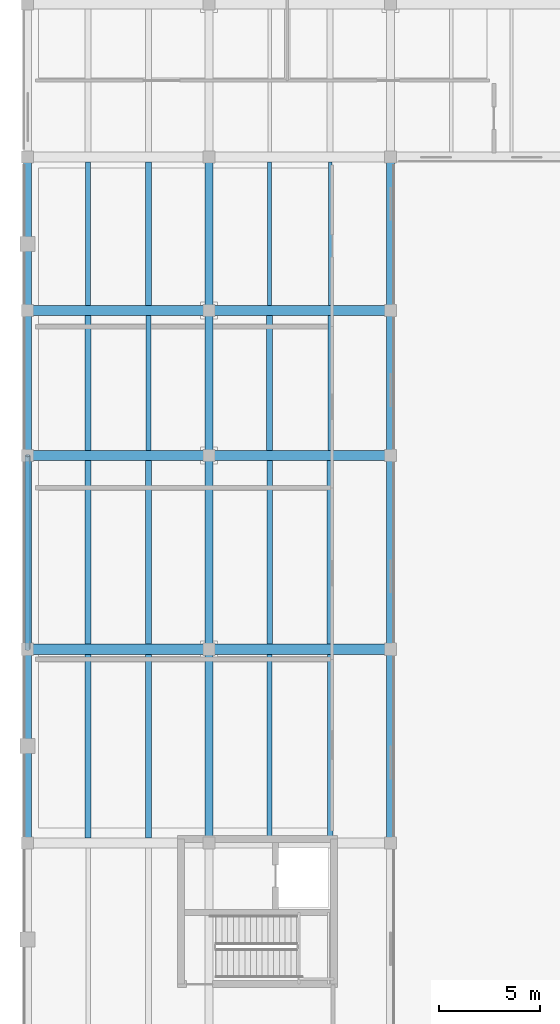
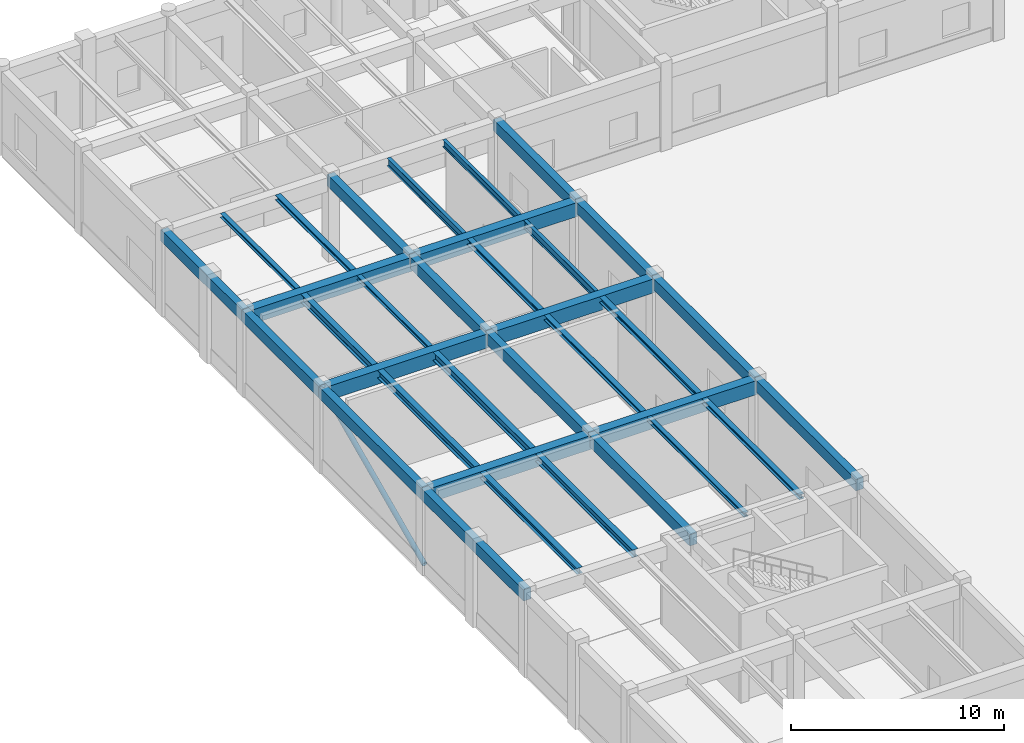
# One storey, part 23 of 64: 34 beams, 1 member.
"""IFC4 building model written with IfcOpenShell, lengths in metres."""

from ifc_helpers import new_model, si_unit, direction, frame, origin, origin_2d, place, context, subcontext, project, spatial, rectangle, hollow_circle, i_section, extrude, material, material_profile, profile_set, type_object, element, save


model = new_model("IFC4")

# Units and contexts
model_context = context("Model", 3, precision=1e-05, world=origin(), true_north=direction((0.0, 1.0)))
body_context = subcontext(model_context, "Body", "Model", "MODEL_VIEW")
ifc_project = project(units=[si_unit("LENGTHUNIT", "METRE"), si_unit("AREAUNIT", "SQUARE_METRE"), si_unit("VOLUMEUNIT", "CUBIC_METRE"), si_unit("PLANEANGLEUNIT", "RADIAN"), si_unit("MASSUNIT", "GRAM", prefix="KILO")], contexts=[model_context])

# Site, building, storey
site_placement = place(None, origin())
site = spatial("IfcSite", under=ifc_project, at=site_placement, CompositionType="ELEMENT")
building_placement = place(site_placement, origin())
building = spatial("IfcBuilding", under=site, at=building_placement, Name="Montealbar Specialist Clinic", CompositionType="ELEMENT")
storey_placement = place(building_placement, origin())
storey = spatial("IfcBuildingStorey", under=building, at=storey_placement, Name="L00", CompositionType="ELEMENT", Elevation=0.0)

# Beams
ifc_material_1 = material(Name="Steel S355", Category="steel")
ifc_material_profile_1 = material_profile(ifc_material_1, i_section(OverallWidth=0.300048828125, OverallDepth=0.35009765625, WebThickness=0.010009765625, FlangeThickness=0.017578125, FilletRadius=0.027099609375, at=origin_2d()), Name="HEA 360", Category="steel")
ifc_profile_set_1 = profile_set([ifc_material_profile_1], Name="Steel S355")
beam_type_1 = type_object("IfcBeamType", Name="BM-JST-HEA360", PredefinedType="JOIST", material=ifc_profile_set_1)
beam_1_placement = place(storey_placement, frame((3.0, 62.050048828125, 4.635009765625), z_axis=(0.0, 1.0, 0.0), x_axis=(-1.0, 0.0, 0.0)))
element("IfcBeam", 1, at=beam_1_placement, inside=storey, type_object=beam_type_1, Name="Beam JST-L00-30-620-712", PredefinedType="JOIST", context=body_context, shape_type="SweptSolid", body=[
    extrude(i_section(OverallWidth=0.300048828125, OverallDepth=0.35009765625, WebThickness=0.010009765625, FlangeThickness=0.017578125, FilletRadius=0.027099609375, at=origin_2d()), origin(), (0.0, 0.0, 1.0), 9.099853515625),
])
ifc_material_profile_2 = material_profile(ifc_material_1, i_section(OverallWidth=0.300048828125, OverallDepth=0.43994140625, WebThickness=0.011474609375, FlangeThickness=0.02099609375, FilletRadius=0.027099609375, at=origin_2d()), Name="HEA 450", Category="steel")
ifc_profile_set_2 = profile_set([ifc_material_profile_2], Name="Steel S355")
beam_type_2 = type_object("IfcBeamType", Name="BM-JST-HEA450", PredefinedType="JOIST", material=ifc_profile_set_2)
beam_2_placement = place(storey_placement, frame((6.0, 62.050048828125, 4.590087890625), z_axis=(0.0, 1.0, 0.0), x_axis=(-1.0, 0.0, 0.0)))
element("IfcBeam", 2, at=beam_2_placement, inside=storey, type_object=beam_type_2, Name="Beam JST-L00-60-620-712", PredefinedType="JOIST", context=body_context, shape_type="SweptSolid", body=[
    extrude(i_section(OverallWidth=0.300048828125, OverallDepth=0.43994140625, WebThickness=0.011474609375, FlangeThickness=0.02099609375, FilletRadius=0.027099609375, at=origin_2d()), origin(), (0.0, 0.0, 1.0), 9.099853515625),
])
beam_3_placement = place(storey_placement, frame((3.0, 71.64990234375, 4.590087890625), z_axis=(0.0, 1.0, 0.0), x_axis=(-1.0, 0.0, 0.0)))
element("IfcBeam", 3, at=beam_3_placement, inside=storey, type_object=beam_type_2, Name="Beam JST-L00-30-716-808", PredefinedType="JOIST", context=body_context, shape_type="SweptSolid", body=[
    extrude(i_section(OverallWidth=0.300048828125, OverallDepth=0.43994140625, WebThickness=0.011474609375, FlangeThickness=0.02099609375, FilletRadius=0.027099609375, at=origin_2d()), origin(), (0.0, 0.0, 1.0), 9.10009765625),
])
ifc_material_profile_3 = material_profile(ifc_material_1, i_section(OverallWidth=0.300048828125, OverallDepth=0.489990234375, WebThickness=0.011962890625, FlangeThickness=0.02294921875, FilletRadius=0.027099609375, at=origin_2d()), Name="HEA 500", Category="steel")
ifc_profile_set_3 = profile_set([ifc_material_profile_3], Name="Steel S355")
beam_type_3 = type_object("IfcBeamType", Name="BM-JST-HEA500", PredefinedType="JOIST", material=ifc_profile_set_3)
beam_4_placement = place(storey_placement, frame((6.0, 71.64990234375, 4.56494140625), z_axis=(0.0, 1.0, 0.0), x_axis=(-1.0, 0.0, 0.0)))
element("IfcBeam", 4, at=beam_4_placement, inside=storey, type_object=beam_type_3, Name="Beam JST-L00-60-716-808", PredefinedType="JOIST", context=body_context, shape_type="SweptSolid", body=[
    extrude(i_section(OverallWidth=0.300048828125, OverallDepth=0.489990234375, WebThickness=0.011962890625, FlangeThickness=0.02294921875, FilletRadius=0.027099609375, at=origin_2d()), origin(), (0.0, 0.0, 1.0), 9.10009765625),
])
beam_5_placement = place(storey_placement, frame((3.0, 81.25, 4.56494140625), z_axis=(0.0, 1.0, 0.0), x_axis=(-1.0, 0.0, 0.0)))
element("IfcBeam", 5, at=beam_5_placement, inside=storey, type_object=beam_type_3, Name="Beam JST-L00-30-812-880", PredefinedType="JOIST", context=body_context, shape_type="SweptSolid", body=[
    extrude(i_section(OverallWidth=0.300048828125, OverallDepth=0.489990234375, WebThickness=0.011962890625, FlangeThickness=0.02294921875, FilletRadius=0.027099609375, at=origin_2d()), origin(), (0.0, 0.0, 1.0), 6.699951171875),
])
ifc_material_profile_4 = material_profile(ifc_material_1, i_section(OverallWidth=0.239990234375, OverallDepth=0.239990234375, WebThickness=0.010009765625, FlangeThickness=0.01708984375, FilletRadius=0.02099609375, at=origin_2d()), Name="HEB 240", Category="steel")
ifc_profile_set_4 = profile_set([ifc_material_profile_4], Name="Steel S355")
beam_type_4 = type_object("IfcBeamType", Name="BM-JST-HEB240", PredefinedType="JOIST", material=ifc_profile_set_4)
beam_6_placement = place(storey_placement, frame((6.0, 81.25, 4.68994140625), z_axis=(0.0, 1.0, 0.0), x_axis=(-1.0, 0.0, 0.0)))
element("IfcBeam", 6, at=beam_6_placement, inside=storey, type_object=beam_type_4, Name="Beam JST-L00-60-812-880", PredefinedType="JOIST", context=body_context, shape_type="SweptSolid", body=[
    extrude(i_section(OverallWidth=0.239990234375, OverallDepth=0.239990234375, WebThickness=0.010009765625, FlangeThickness=0.01708984375, FilletRadius=0.02099609375, at=origin_2d()), origin(), (0.0, 0.0, 1.0), 6.699951171875),
])
beam_7_placement = place(storey_placement, frame((3.0, 88.449951171875, 4.68994140625), z_axis=(0.0, 1.0, 0.0), x_axis=(-1.0, 0.0, 0.0)))
element("IfcBeam", 7, at=beam_7_placement, inside=storey, type_object=beam_type_4, Name="Beam JST-L00-30-884-956", PredefinedType="JOIST", context=body_context, shape_type="SweptSolid", body=[
    extrude(i_section(OverallWidth=0.239990234375, OverallDepth=0.239990234375, WebThickness=0.010009765625, FlangeThickness=0.01708984375, FilletRadius=0.02099609375, at=origin_2d()), origin(), (0.0, 0.0, 1.0), 7.10009765625),
])
beam_8_placement = place(storey_placement, frame((12.0, 62.050048828125, 4.68994140625), z_axis=(0.0, 1.0, 0.0), x_axis=(-1.0, 0.0, 0.0)))
element("IfcBeam", 8, at=beam_8_placement, inside=storey, type_object=beam_type_4, Name="Beam JST-L00-120-620-712", PredefinedType="JOIST", context=body_context, shape_type="SweptSolid", body=[
    extrude(i_section(OverallWidth=0.239990234375, OverallDepth=0.239990234375, WebThickness=0.010009765625, FlangeThickness=0.01708984375, FilletRadius=0.02099609375, at=origin_2d()), origin(), (0.0, 0.0, 1.0), 9.099853515625),
])
ifc_material_profile_5 = material_profile(ifc_material_1, i_section(OverallWidth=0.280029296875, OverallDepth=0.280029296875, WebThickness=0.010498046875, FlangeThickness=0.01806640625, FilletRadius=0.02392578125, at=origin_2d()), Name="HEB 280", Category="steel")
ifc_profile_set_5 = profile_set([ifc_material_profile_5], Name="Steel S355")
beam_type_5 = type_object("IfcBeamType", Name="BM-JST-HEB280", PredefinedType="JOIST", material=ifc_profile_set_5)
beam_9_placement = place(storey_placement, frame((6.0, 88.449951171875, 4.669921875), z_axis=(0.0, 1.0, 0.0), x_axis=(-1.0, 0.0, 0.0)))
element("IfcBeam", 9, at=beam_9_placement, inside=storey, type_object=beam_type_5, Name="Beam JST-L00-60-884-956", PredefinedType="JOIST", context=body_context, shape_type="SweptSolid", body=[
    extrude(i_section(OverallWidth=0.280029296875, OverallDepth=0.280029296875, WebThickness=0.010498046875, FlangeThickness=0.01806640625, FilletRadius=0.02392578125, at=origin_2d()), origin(), (0.0, 0.0, 1.0), 7.10009765625),
])
beam_10_placement = place(storey_placement, frame((15.0, 62.050048828125, 4.669921875), z_axis=(0.0, 1.0, 0.0), x_axis=(-1.0, 0.0, 0.0)))
element("IfcBeam", 10, at=beam_10_placement, inside=storey, type_object=beam_type_5, Name="Beam JST-L00-150-620-712", PredefinedType="JOIST", context=body_context, shape_type="SweptSolid", body=[
    extrude(i_section(OverallWidth=0.280029296875, OverallDepth=0.280029296875, WebThickness=0.010498046875, FlangeThickness=0.01806640625, FilletRadius=0.02392578125, at=origin_2d()), origin(), (0.0, 0.0, 1.0), 9.099853515625),
])
beam_11_placement = place(storey_placement, frame((12.0, 71.64990234375, 4.669921875), z_axis=(0.0, 1.0, 0.0), x_axis=(-1.0, 0.0, 0.0)))
element("IfcBeam", 11, at=beam_11_placement, inside=storey, type_object=beam_type_5, Name="Beam JST-L00-120-716-808", PredefinedType="JOIST", context=body_context, shape_type="SweptSolid", body=[
    extrude(i_section(OverallWidth=0.280029296875, OverallDepth=0.280029296875, WebThickness=0.010498046875, FlangeThickness=0.01806640625, FilletRadius=0.02392578125, at=origin_2d()), origin(), (0.0, 0.0, 1.0), 9.10009765625),
])
ifc_material_profile_6 = material_profile(ifc_material_1, i_section(OverallWidth=0.300048828125, OverallDepth=0.320068359375, WebThickness=0.011474609375, FlangeThickness=0.0205078125, FilletRadius=0.027099609375, at=origin_2d()), Name="HEB 320", Category="steel")
ifc_profile_set_6 = profile_set([ifc_material_profile_6], Name="Steel S355")
beam_type_6 = type_object("IfcBeamType", Name="BM-JST-HEB320", PredefinedType="JOIST", material=ifc_profile_set_6)
beam_12_placement = place(storey_placement, frame((15.0, 71.64990234375, 4.64990234375), z_axis=(0.0, 1.0, 0.0), x_axis=(-1.0, 0.0, 0.0)))
element("IfcBeam", 12, at=beam_12_placement, inside=storey, type_object=beam_type_6, Name="Beam JST-L00-150-716-808", PredefinedType="JOIST", context=body_context, shape_type="SweptSolid", body=[
    extrude(i_section(OverallWidth=0.300048828125, OverallDepth=0.320068359375, WebThickness=0.011474609375, FlangeThickness=0.0205078125, FilletRadius=0.027099609375, at=origin_2d()), origin(), (0.0, 0.0, 1.0), 9.10009765625),
])
beam_13_placement = place(storey_placement, frame((12.0, 81.25, 4.64990234375), z_axis=(0.0, 1.0, 0.0), x_axis=(-1.0, 0.0, 0.0)))
element("IfcBeam", 13, at=beam_13_placement, inside=storey, type_object=beam_type_6, Name="Beam JST-L00-120-812-880", PredefinedType="JOIST", context=body_context, shape_type="SweptSolid", body=[
    extrude(i_section(OverallWidth=0.300048828125, OverallDepth=0.320068359375, WebThickness=0.011474609375, FlangeThickness=0.0205078125, FilletRadius=0.027099609375, at=origin_2d()), origin(), (0.0, 0.0, 1.0), 6.699951171875),
])
ifc_material_2 = material(Name="Concrete C35/45", Category="concrete")
ifc_material_profile_7 = material_profile(ifc_material_2, rectangle(XDim=0.39990234375, YDim=0.64990234375, at=origin_2d()), Name="RC 400x650", Category="concrete")
ifc_profile_set_7 = profile_set([ifc_material_profile_7], Name="Concrete C35/45")
beam_type_7 = type_object("IfcBeamType", Name="BM-RC-400x650", PredefinedType="BEAM", material=ifc_profile_set_7)
beam_14_placement = place(storey_placement, frame((9.0, 61.800048828125, 4.485107421875), z_axis=(0.0, 1.0, 0.0), x_axis=(-1.0, 0.0, 0.0)))
element("IfcBeam", 14, at=beam_14_placement, inside=storey, type_object=beam_type_7, Name="Beam GY-L00-90-618-714", PredefinedType="BEAM", context=body_context, shape_type="SweptSolid", body=[
    extrude(rectangle(XDim=0.39990234375, YDim=0.64990234375, at=origin_2d()), origin(), (0.0, 0.0, 1.0), 9.599853515625),
])
beam_15_placement = place(storey_placement, frame((9.0, 71.39990234375, 4.485107421875), z_axis=(0.0, 1.0, 0.0), x_axis=(-1.0, 0.0, 0.0)))
element("IfcBeam", 15, at=beam_15_placement, inside=storey, type_object=beam_type_7, Name="Beam GY-L00-90-714-810", PredefinedType="BEAM", context=body_context, shape_type="SweptSolid", body=[
    extrude(rectangle(XDim=0.39990234375, YDim=0.64990234375, at=origin_2d()), origin(), (0.0, 0.0, 1.0), 9.60009765625),
])
beam_16_placement = place(storey_placement, frame((9.0, 81.0, 4.485107421875), z_axis=(0.0, 1.0, 0.0), x_axis=(-1.0, 0.0, 0.0)))
element("IfcBeam", 16, at=beam_16_placement, inside=storey, type_object=beam_type_7, Name="Beam GY-L00-90-810-882", PredefinedType="BEAM", context=body_context, shape_type="SweptSolid", body=[
    extrude(rectangle(XDim=0.39990234375, YDim=0.64990234375, at=origin_2d()), origin(), (0.0, 0.0, 1.0), 7.199951171875),
])
beam_17_placement = place(storey_placement, frame((9.0, 88.199951171875, 4.485107421875), z_axis=(0.0, 1.0, 0.0), x_axis=(-1.0, 0.0, 0.0)))
element("IfcBeam", 17, at=beam_17_placement, inside=storey, type_object=beam_type_7, Name="Beam GY-L00-90-882-958", PredefinedType="BEAM", context=body_context, shape_type="SweptSolid", body=[
    extrude(rectangle(XDim=0.39990234375, YDim=0.64990234375, at=origin_2d()), origin(), (0.0, 0.0, 1.0), 7.60009765625),
])
ifc_material_profile_8 = material_profile(ifc_material_2, rectangle(XDim=0.39990234375, YDim=0.64990234375, at=origin_2d()), Name="RC 400x650", Category="concrete")
ifc_profile_set_8 = profile_set([ifc_material_profile_8], Name="Concrete C35/45")
beam_type_8 = type_object("IfcBeamType", Name="BM-RC-400x650-EXT", PredefinedType="BEAM", material=ifc_profile_set_8)
beam_18_placement = place(storey_placement, frame((0.0, 61.800048828125, 4.485107421875), z_axis=(0.0, 1.0, 0.0), x_axis=(-1.0, 0.0, 0.0)))
element("IfcBeam", 18, at=beam_18_placement, inside=storey, type_object=beam_type_8, Name="Beam GY-L00-0-618-714", PredefinedType="BEAM", context=body_context, shape_type="SweptSolid", body=[
    extrude(rectangle(XDim=0.39990234375, YDim=0.64990234375, at=origin_2d()), origin(), (0.0, 0.0, 1.0), 9.599853515625),
])
beam_19_placement = place(storey_placement, frame((0.0, 71.39990234375, 4.485107421875), z_axis=(0.0, 1.0, 0.0), x_axis=(-1.0, 0.0, 0.0)))
element("IfcBeam", 19, at=beam_19_placement, inside=storey, type_object=beam_type_8, Name="Beam GY-L00-0-714-810", PredefinedType="BEAM", context=body_context, shape_type="SweptSolid", body=[
    extrude(rectangle(XDim=0.39990234375, YDim=0.64990234375, at=origin_2d()), origin(), (0.0, 0.0, 1.0), 9.60009765625),
])
beam_20_placement = place(storey_placement, frame((0.0, 81.0, 4.485107421875), z_axis=(0.0, 1.0, 0.0), x_axis=(-1.0, 0.0, 0.0)))
element("IfcBeam", 20, at=beam_20_placement, inside=storey, type_object=beam_type_8, Name="Beam GY-L00-0-810-882", PredefinedType="BEAM", context=body_context, shape_type="SweptSolid", body=[
    extrude(rectangle(XDim=0.39990234375, YDim=0.64990234375, at=origin_2d()), origin(), (0.0, 0.0, 1.0), 7.199951171875),
])
beam_21_placement = place(storey_placement, frame((0.0, 88.199951171875, 4.485107421875), z_axis=(0.0, 1.0, 0.0), x_axis=(-1.0, 0.0, 0.0)))
element("IfcBeam", 21, at=beam_21_placement, inside=storey, type_object=beam_type_8, Name="Beam GY-L00-0-882-958", PredefinedType="BEAM", context=body_context, shape_type="SweptSolid", body=[
    extrude(rectangle(XDim=0.39990234375, YDim=0.64990234375, at=origin_2d()), origin(), (0.0, 0.0, 1.0), 7.60009765625),
])
beam_22_placement = place(storey_placement, frame((18.0, 61.800048828125, 4.485107421875), z_axis=(0.0, 1.0, 0.0), x_axis=(-1.0, 0.0, 0.0)))
element("IfcBeam", 22, at=beam_22_placement, inside=storey, type_object=beam_type_8, Name="Beam GY-L00-180-618-714", PredefinedType="BEAM", context=body_context, shape_type="SweptSolid", body=[
    extrude(rectangle(XDim=0.39990234375, YDim=0.64990234375, at=origin_2d()), origin(), (0.0, 0.0, 1.0), 9.599853515625),
])
beam_23_placement = place(storey_placement, frame((18.0, 71.39990234375, 4.485107421875), z_axis=(0.0, 1.0, 0.0), x_axis=(-1.0, 0.0, 0.0)))
element("IfcBeam", 23, at=beam_23_placement, inside=storey, type_object=beam_type_8, Name="Beam GY-L00-180-714-810", PredefinedType="BEAM", context=body_context, shape_type="SweptSolid", body=[
    extrude(rectangle(XDim=0.39990234375, YDim=0.64990234375, at=origin_2d()), origin(), (0.0, 0.0, 1.0), 9.60009765625),
])
beam_24_placement = place(storey_placement, frame((18.0, 81.0, 4.485107421875), z_axis=(0.0, 1.0, 0.0), x_axis=(-1.0, 0.0, 0.0)))
element("IfcBeam", 24, at=beam_24_placement, inside=storey, type_object=beam_type_8, Name="Beam GY-L00-180-810-882", PredefinedType="BEAM", context=body_context, shape_type="SweptSolid", body=[
    extrude(rectangle(XDim=0.39990234375, YDim=0.64990234375, at=origin_2d()), origin(), (0.0, 0.0, 1.0), 7.199951171875),
])
beam_25_placement = place(storey_placement, frame((18.0, 88.199951171875, 4.485107421875), z_axis=(0.0, 1.0, 0.0), x_axis=(-1.0, 0.0, 0.0)))
element("IfcBeam", 25, at=beam_25_placement, inside=storey, type_object=beam_type_8, Name="Beam GY-L00-180-882-958", PredefinedType="BEAM", context=body_context, shape_type="SweptSolid", body=[
    extrude(rectangle(XDim=0.39990234375, YDim=0.64990234375, at=origin_2d()), origin(), (0.0, 0.0, 1.0), 7.60009765625),
])
ifc_material_profile_9 = material_profile(ifc_material_2, rectangle(XDim=0.5, YDim=0.800048828125, at=origin_2d()), Name="RC 500x800", Category="concrete")
ifc_profile_set_9 = profile_set([ifc_material_profile_9], Name="Concrete C35/45")
beam_type_9 = type_object("IfcBeamType", Name="BM-RC-500x800", PredefinedType="BEAM", material=ifc_profile_set_9)
for number, where, z_axis, x_axis, name in (
    (26, (0.0, 71.39990234375, 4.409912109375), (1.0, 0.0, 0.0), (0.0, 1.0, 0.0), "Beam GX-L00-0-90-714"),
    (27, (9.0, 71.39990234375, 4.409912109375), (1.0, 0.0, 0.0), (0.0, 1.0, 0.0), "Beam GX-L00-90-180-714"),
    (28, (0.0, 81.0, 4.409912109375), (1.0, 0.0, 0.0), (0.0, 1.0, 0.0), "Beam GX-L00-0-90-810"),
    (29, (9.0, 81.0, 4.409912109375), (1.0, 0.0, 0.0), (0.0, 1.0, 0.0), "Beam GX-L00-90-180-810"),
    (30, (0.0, 88.199951171875, 4.409912109375), (1.0, 0.0, 0.0), (0.0, 1.0, 0.0), "Beam GX-L00-0-90-882"),
    (31, (9.0, 88.199951171875, 4.409912109375), (1.0, 0.0, 0.0), (0.0, 1.0, 0.0), "Beam GX-L00-90-180-882"),
):
    element("IfcBeam", number, at=place(storey_placement, frame(where, z_axis=z_axis, x_axis=x_axis)), inside=storey, type_object=beam_type_9, Name=name, PredefinedType="BEAM", context=body_context, shape_type="SweptSolid", body=[
        extrude(rectangle(XDim=0.5, YDim=0.800048828125, at=origin_2d()), origin(), (0.0, 0.0, 1.0), 9.0),
    ])
ifc_material_profile_10 = material_profile(ifc_material_1, i_section(OverallWidth=0.179931640625, OverallDepth=0.39990234375, WebThickness=0.008544921875, FlangeThickness=0.013427734375, FilletRadius=0.02099609375, at=origin_2d()), Name="IPE 400", Category="steel")
ifc_profile_set_10 = profile_set([ifc_material_profile_10], Name="Steel S355")
beam_type_10 = type_object("IfcBeamType", Name="BM-SEC-IPE400", PredefinedType="BEAM", material=ifc_profile_set_10)
beam_26_placement = place(storey_placement, frame((15.0, 88.449951171875, 4.610107421875), z_axis=(0.0, 1.0, 0.0), x_axis=(-1.0, 0.0, 0.0)))
element("IfcBeam", 32, at=beam_26_placement, inside=storey, type_object=beam_type_10, Name="Beam JST-L00-150-884-956", PredefinedType="BEAM", context=body_context, shape_type="SweptSolid", body=[
    extrude(i_section(OverallWidth=0.179931640625, OverallDepth=0.39990234375, WebThickness=0.008544921875, FlangeThickness=0.013427734375, FilletRadius=0.02099609375, at=origin_2d()), origin(), (0.0, 0.0, 1.0), 7.10009765625),
])
ifc_material_profile_11 = material_profile(ifc_material_1, i_section(OverallWidth=0.18994140625, OverallDepth=0.449951171875, WebThickness=0.009521484375, FlangeThickness=0.0146484375, FilletRadius=0.02099609375, at=origin_2d()), Name="IPE 450", Category="steel")
ifc_profile_set_11 = profile_set([ifc_material_profile_11], Name="Steel S355")
beam_type_11 = type_object("IfcBeamType", Name="BM-SEC-IPE450", PredefinedType="BEAM", material=ifc_profile_set_11)
beam_27_placement = place(storey_placement, frame((15.0, 81.25, 4.5849609375), z_axis=(0.0, 1.0, 0.0), x_axis=(-1.0, 0.0, 0.0)))
element("IfcBeam", 33, at=beam_27_placement, inside=storey, type_object=beam_type_11, Name="Beam JST-L00-150-812-880", PredefinedType="BEAM", context=body_context, shape_type="SweptSolid", body=[
    extrude(i_section(OverallWidth=0.18994140625, OverallDepth=0.449951171875, WebThickness=0.009521484375, FlangeThickness=0.0146484375, FilletRadius=0.02099609375, at=origin_2d()), origin(), (0.0, 0.0, 1.0), 6.699951171875),
])
beam_28_placement = place(storey_placement, frame((12.0, 88.449951171875, 4.5849609375), z_axis=(0.0, 1.0, 0.0), x_axis=(-1.0, 0.0, 0.0)))
element("IfcBeam", 34, at=beam_28_placement, inside=storey, type_object=beam_type_11, Name="Beam JST-L00-120-884-956", PredefinedType="BEAM", context=body_context, shape_type="SweptSolid", body=[
    extrude(i_section(OverallWidth=0.18994140625, OverallDepth=0.449951171875, WebThickness=0.009521484375, FlangeThickness=0.0146484375, FilletRadius=0.02099609375, at=origin_2d()), origin(), (0.0, 0.0, 1.0), 7.10009765625),
])

# Member
ifc_material_profile_12 = material_profile(ifc_material_1, hollow_circle(Radius=0.136474609375, WallThickness=0.012451171875, at=origin_2d()), Name="CHS 273.0x12.5", Category="steel")
ifc_profile_set_12 = profile_set([ifc_material_profile_12], Name="Steel S355")
member_type = type_object("IfcMemberType", Name="MB-LAT-BRACE-A-EXT", PredefinedType="BRACE", material=ifc_profile_set_12)
member_placement = place(storey_placement, frame((0.0, 71.39990234375, 0.3798828125), z_axis=(0.0, 0.910136465003, 0.414308598839), x_axis=(-1.0, 0.0, 0.0)))
element("IfcMember", 35, at=member_placement, inside=storey, type_object=member_type, Name="Lateral frame brace LB-02", PredefinedType="BRACE", context=body_context, shape_type="SweptSolid", body=[
    extrude(hollow_circle(Radius=0.136474609375, WallThickness=0.012451171875, at=origin_2d()), origin(), (0.0, 0.0, 1.0), 10.548095703125),
])

save(model, "model.ifc")
